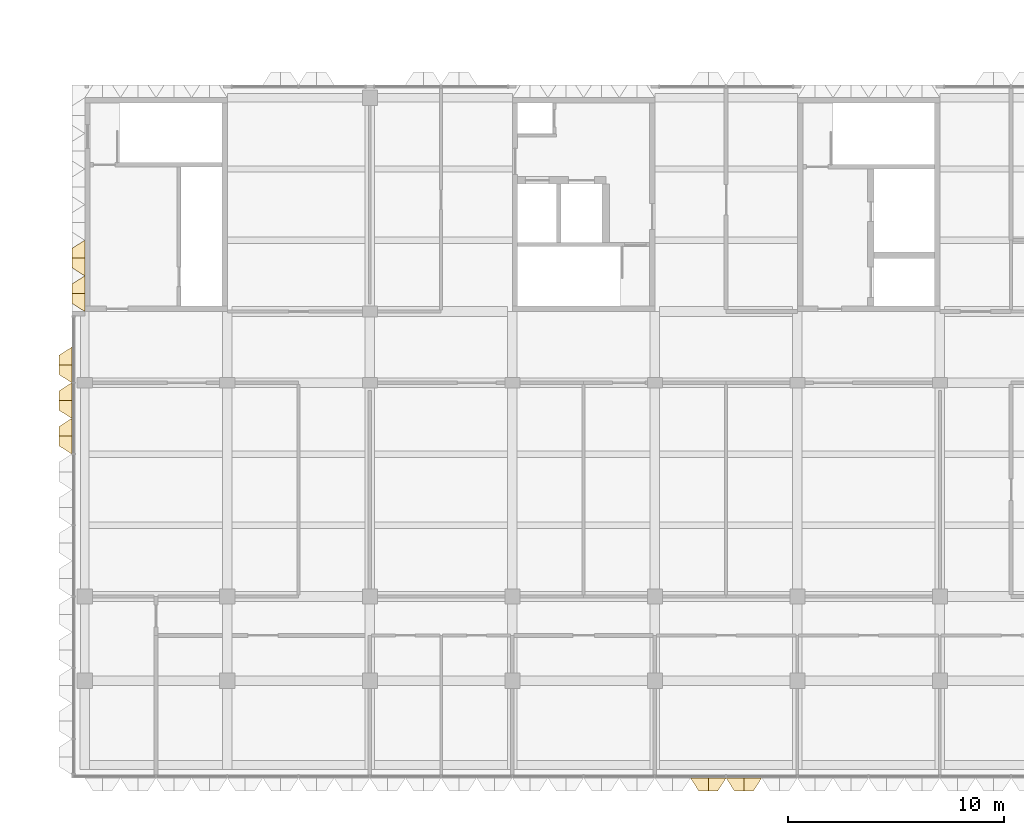
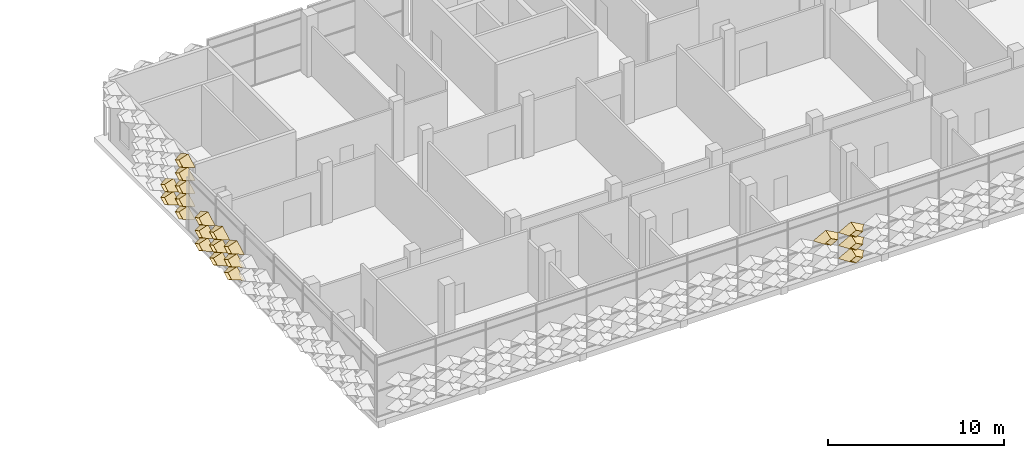
# One storey, part 35 of 61: 20 coverings.
"""IFC4 building model written with IfcOpenShell, lengths in metres."""

import ifcopenshell
import ifcopenshell.guid

model = None  # the IFC model being written
_history = None  # IfcOwnerHistory: only IFC2X3 demands one
_inside = {}  # id of a spatial element -> (the spatial element, [elements in it])
_under = {}  # id of a project, library or spatial element -> (it, [spatial elements below it])
_declared = {}  # id of a project -> (the project, [libraries it declares])
_typed = {}  # id of a type object -> (the type object, [elements of that type])
_made_of = {}  # id of a material, layer set ... -> (it, [elements and type objects made of it])


def new_model(schema):
    """Start an empty IFC model of exactly this schema.

    Asked for "IFC4X3", IfcOpenShell would pick the latest addendum, in which some entities
    have other attributes; the version numbers below select the first issue.
    IFC2X3 requires an IfcOwnerHistory on every rooted entity: one is made here for all.
    """
    global model, _history
    if schema == "IFC4X3":
        model = ifcopenshell.file(schema_version=(4, 3, 0, 0))
    else:
        model = ifcopenshell.file(schema=schema)
    _inside.clear()
    _under.clear()
    _declared.clear()
    _typed.clear()
    _made_of.clear()
    _history = None
    if model.schema == "IFC2X3":
        org = make("IfcOrganization", Name="unknown")
        user = make(
            "IfcPersonAndOrganization",
            ThePerson=make("IfcPerson", FamilyName="unknown"),
            TheOrganization=org,
        )
        app = make(
            "IfcApplication",
            ApplicationDeveloper=org,
            Version="unknown",
            ApplicationFullName="unknown",
            ApplicationIdentifier="unknown",
        )
        _history = make(
            "IfcOwnerHistory",
            OwningUser=user,
            OwningApplication=app,
            ChangeAction="ADDED",
            CreationDate=0,
        )
    return model


def make(cls, **values):
    """One entity of the class cls with the attributes given. An attribute that is None is left unset."""
    return model.create_entity(
        cls, **{name: value for name, value in values.items() if value is not None}
    )


def entity(cls, *values):
    """Any entity or typed value of the class cls, its attributes in the order of the schema. None: left unset."""
    e = model.create_entity(cls)
    for i, value in enumerate(values):
        if value is not None:
            e[i] = value
    return e


def rooted(cls, **values):
    """An entity with a GlobalId (a new one), such as an element, a storey or a relation."""
    return make(cls, GlobalId=ifcopenshell.guid.new(), OwnerHistory=_history, **values)


def si_unit(unit_type, name, prefix=None):
    """IfcSIUnit, for example si_unit("LENGTHUNIT", "METRE", prefix="MILLI")."""
    return make("IfcSIUnit", UnitType=unit_type, Prefix=prefix, Name=name)


def assignment(units):
    """IfcUnitAssignment: the units of a project."""
    return None if units is None else make("IfcUnitAssignment", Units=units)


def point(xyz):
    """IfcCartesianPoint."""
    return None if xyz is None else make("IfcCartesianPoint", Coordinates=xyz)


def direction(xyz):
    """IfcDirection."""
    return None if xyz is None else make("IfcDirection", DirectionRatios=xyz)


def frame(location, z_axis=None, x_axis=None):
    """IfcAxis2Placement3D, a coordinate frame: its origin and axes. An axis left out is left unset."""
    return make(
        "IfcAxis2Placement3D",
        Location=point(location),
        Axis=direction(z_axis),
        RefDirection=direction(x_axis),
    )


def origin():
    """The frame at (0, 0, 0) with its axes left unset."""
    return frame((0.0, 0.0, 0.0))


def place(relative_to, where):
    """IfcLocalPlacement: puts the frame where relative to a parent placement (None: the world)."""
    return make(
        "IfcLocalPlacement", PlacementRelTo=relative_to, RelativePlacement=where
    )


def context(
    kind, dimensions, precision=None, world=None, true_north=None, identifier=None
):
    """IfcGeometricRepresentationContext, for example the 3D "Model" context."""
    return make(
        "IfcGeometricRepresentationContext",
        ContextIdentifier=identifier,
        ContextType=kind,
        CoordinateSpaceDimension=dimensions,
        Precision=precision,
        WorldCoordinateSystem=world,
        TrueNorth=true_north,
    )


def subcontext(parent, identifier, kind, view, scale=None):
    """IfcGeometricRepresentationSubContext, for example "Body" below "Model"."""
    return make(
        "IfcGeometricRepresentationSubContext",
        ContextIdentifier=identifier,
        ContextType=kind,
        ParentContext=parent,
        TargetScale=scale,
        TargetView=view,
    )


def project(units=None, contexts=None):
    """IfcProject with its units and contexts."""
    return rooted(
        "IfcProject",
        Name="project",
        RepresentationContexts=contexts,
        UnitsInContext=assignment(units),
    )


def spatial(cls, under=None, at=None, **own):
    """A site, building, storey or space (cls), placed at a placement, below another one or the project."""
    s = rooted(cls, ObjectPlacement=at, **own)
    if under is not None:
        _under.setdefault(under.id(), (under, []))[1].append(s)
    return s


def shape(context_of_items, identifier, shape_type, items):
    """IfcShapeRepresentation: the items that make up one representation, for example the "Body"."""
    return make(
        "IfcShapeRepresentation",
        ContextOfItems=context_of_items,
        RepresentationIdentifier=identifier,
        RepresentationType=shape_type,
        Items=items,
    )


def material(Name=None, Category=None):
    """IfcMaterial."""
    return make("IfcMaterial", Name=Name, Category=Category)


def layer(
    of_material, thickness, ventilated=None, Name=None, Category=None, Priority=None
):
    """IfcMaterialLayer: one layer of a wall or slab, of a material (None: an air gap)."""
    return make(
        "IfcMaterialLayer",
        Material=of_material,
        LayerThickness=thickness,
        IsVentilated=ventilated,
        Name=Name,
        Category=Category,
        Priority=Priority,
    )


def layer_set(layers, Name=None):
    """IfcMaterialLayerSet."""
    return make("IfcMaterialLayerSet", MaterialLayers=layers, LayerSetName=Name)


def made_of(thing, what):
    """Note that an element or type object is made of a material, layer set ...; save() writes the relation."""
    if what is not None:
        _made_of.setdefault(what.id(), (what, []))[1].append(thing)
    return thing


def type_object(cls, material=None, **own):
    """A type object (cls), such as IfcWallType, which elements share."""
    return made_of(rooted(cls, **own), material)


def element(
    cls,
    number,
    at=None,
    inside=None,
    cuts=None,
    type_object=None,
    material=None,
    context=None,
    identifier="Body",
    shape_type=None,
    held_by="IfcProductDefinitionShape",
    body=None,
    shapes=None,
    **own,
):
    """One element of the class cls, such as IfcWall. Its Tag is "e" and its number.

    at: its placement. inside: the storey or other place that contains it. cuts: it is an
    opening in that element (IfcRelVoidsElement). A single representation is given by context,
    identifier, shape_type and body (its items); several are given by shapes. held_by: the class
    of the entity that holds the representations. save() writes the other relations.
    """
    e = rooted(cls, Tag="e%d" % number, ObjectPlacement=at, **own)
    if body is not None:
        shapes = [shape(context, identifier, shape_type, body)]
    if shapes is not None:
        e.Representation = make(held_by, Representations=shapes)
    if inside is not None:
        _inside.setdefault(inside.id(), (inside, []))[1].append(e)
    if cuts is not None:
        rooted(
            "IfcRelVoidsElement", RelatingBuildingElement=cuts, RelatedOpeningElement=e
        )
    if type_object is not None:
        _typed.setdefault(type_object.id(), (type_object, []))[1].append(e)
    return made_of(e, material)


def aggregate(whole, parts):
    """IfcRelAggregates: a whole, such as a stair, and the parts it consists of."""
    return rooted("IfcRelAggregates", RelatingObject=whole, RelatedObjects=parts)


def save(model, path):
    """Write the relations noted so far, then the file.

    IfcRelAggregates (storeys below a building ...), IfcRelContainedInSpatialStructure (elements
    in a storey), IfcRelDefinesByType, IfcRelAssociatesMaterial and IfcRelDeclares: one each for
    every whole, place, type object, material and project.
    """
    for whole, parts in _under.values():
        aggregate(whole, parts)
    for where, things in _inside.values():
        rooted(
            "IfcRelContainedInSpatialStructure",
            RelatedElements=things,
            RelatingStructure=where,
        )
    for kind, things in _typed.values():
        rooted("IfcRelDefinesByType", RelatedObjects=things, RelatingType=kind)
    for what, things in _made_of.values():
        rooted("IfcRelAssociatesMaterial", RelatedObjects=things, RelatingMaterial=what)
    for by, libraries in _declared.values():
        rooted("IfcRelDeclares", RelatingContext=by, RelatedDefinitions=libraries)
    model.write(path)


model = new_model("IFC4")

# Units and contexts
model_context = context("Model", 3, precision=1e-05, world=origin(), true_north=direction((0.0, 1.0)))
body_context = subcontext(model_context, "Body", "Model", "MODEL_VIEW")
ifc_project = project(units=[si_unit("LENGTHUNIT", "METRE"), si_unit("AREAUNIT", "SQUARE_METRE"), si_unit("VOLUMEUNIT", "CUBIC_METRE"), si_unit("PLANEANGLEUNIT", "RADIAN"), si_unit("MASSUNIT", "GRAM", prefix="KILO")], contexts=[model_context])

# Site, building, storey
site_placement = place(None, origin())
site = spatial("IfcSite", under=ifc_project, at=site_placement, CompositionType="ELEMENT")
building_placement = place(site_placement, origin())
building = spatial("IfcBuilding", under=site, at=building_placement, Name="Lantern Court Research Institute", CompositionType="ELEMENT")
storey_placement = place(building_placement, frame((0.0, 0.0, 23.39990234375)))
storey = spatial("IfcBuildingStorey", under=building, at=storey_placement, Name="L05", CompositionType="ELEMENT", Elevation=23.39990234375)

# Coverings
ifc_material = material(Name="Anodised aluminium", Category="aluminium")
ifc_layer = layer(ifc_material, 0.01611328125)
ifc_layer_set = layer_set([ifc_layer], Name="Anodised aluminium")
covering_type = type_object("IfcCoveringType", Name="Fin cassette 1650 x 900 x 600 aluminium", PredefinedType="CLADDING", material=ifc_layer_set)
covering_1_placement = place(storey_placement, frame((30.52490234375, -8.39990234375, 0.4501953125), z_axis=(0.0, -1.0, 0.0), x_axis=(1.0, 0.0, 0.0)))
cartesian_point_1 = entity("IfcCartesianPoint", [0.824951171875, 0.0])
cartesian_point_2 = entity("IfcCartesianPoint", [0.79150390625, 0.0])
cartesian_point_3 = entity("IfcCartesianPoint", [0.44189453125, 0.0])
cartesian_point_4 = entity("IfcCartesianPoint", [0.43359375, 0.0])
element("IfcCovering", 1, at=covering_1_placement, inside=storey, type_object=covering_type, Name="Fin cassette V4S-L05 1.19", PredefinedType="CLADDING", context=body_context, shape_type="SweptSolid", body=[
    entity("IfcExtrudedAreaSolidTapered", entity("IfcArbitraryProfileDefWithVoids", "AREA", None, entity("IfcPolyline", [cartesian_point_1, entity("IfcCartesianPoint", [0.0, 0.449951171875]), entity("IfcCartesianPoint", [-0.824951171875, 0.0]), entity("IfcCartesianPoint", [0.0, -0.449951171875]), cartesian_point_1]), [entity("IfcPolyline", [cartesian_point_2, entity("IfcCartesianPoint", [0.0, 0.431884765625]), entity("IfcCartesianPoint", [-0.79150390625, 0.0]), entity("IfcCartesianPoint", [0.0, -0.431884765625]), cartesian_point_2])]), entity("IfcAxis2Placement3D", entity("IfcCartesianPoint", [0.0, 0.0, 0.0])), entity("IfcDirection", [0.0, 0.0, 1.0]), 0.60009765625, entity("IfcArbitraryProfileDefWithVoids", "AREA", None, entity("IfcPolyline", [cartesian_point_3, entity("IfcCartesianPoint", [0.0, 0.240966796875]), entity("IfcCartesianPoint", [-0.44189453125, 0.0]), entity("IfcCartesianPoint", [0.0, -0.240966796875]), cartesian_point_3]), [entity("IfcPolyline", [cartesian_point_4, entity("IfcCartesianPoint", [0.0, 0.236572265625]), entity("IfcCartesianPoint", [-0.43359375, 0.0]), entity("IfcCartesianPoint", [0.0, -0.236572265625]), cartesian_point_4])])),
])
covering_2_placement = place(storey_placement, frame((30.52490234375, -8.39990234375, 1.35009765625), z_axis=(0.0, -1.0, 0.0), x_axis=(1.0, 0.0, 0.0)))
cartesian_point_5 = entity("IfcCartesianPoint", [0.824951171875, 0.0])
cartesian_point_6 = entity("IfcCartesianPoint", [0.79150390625, 0.0])
cartesian_point_7 = entity("IfcCartesianPoint", [0.44189453125, 0.0])
cartesian_point_8 = entity("IfcCartesianPoint", [0.43359375, 0.0])
element("IfcCovering", 2, at=covering_2_placement, inside=storey, type_object=covering_type, Name="Fin cassette V4S-L05 2.19", PredefinedType="CLADDING", context=body_context, shape_type="SweptSolid", body=[
    entity("IfcExtrudedAreaSolidTapered", entity("IfcArbitraryProfileDefWithVoids", "AREA", None, entity("IfcPolyline", [cartesian_point_5, entity("IfcCartesianPoint", [0.0, 0.449951171875]), entity("IfcCartesianPoint", [-0.824951171875, 0.0]), entity("IfcCartesianPoint", [0.0, -0.449951171875]), cartesian_point_5]), [entity("IfcPolyline", [cartesian_point_6, entity("IfcCartesianPoint", [0.0, 0.431884765625]), entity("IfcCartesianPoint", [-0.79150390625, 0.0]), entity("IfcCartesianPoint", [0.0, -0.431884765625]), cartesian_point_6])]), entity("IfcAxis2Placement3D", entity("IfcCartesianPoint", [0.0, 0.0, 0.0])), entity("IfcDirection", [0.0, 0.0, 1.0]), 0.60009765625, entity("IfcArbitraryProfileDefWithVoids", "AREA", None, entity("IfcPolyline", [cartesian_point_7, entity("IfcCartesianPoint", [0.0, 0.240966796875]), entity("IfcCartesianPoint", [-0.44189453125, 0.0]), entity("IfcCartesianPoint", [0.0, -0.240966796875]), cartesian_point_7]), [entity("IfcPolyline", [cartesian_point_8, entity("IfcCartesianPoint", [0.0, 0.236572265625]), entity("IfcCartesianPoint", [-0.43359375, 0.0]), entity("IfcCartesianPoint", [0.0, -0.236572265625]), cartesian_point_8])])),
])
covering_3_placement = place(storey_placement, frame((28.875, -8.39990234375, 2.25), z_axis=(0.0, -1.0, 0.0), x_axis=(1.0, 0.0, 0.0)))
cartesian_point_9 = entity("IfcCartesianPoint", [0.824951171875, 0.0])
cartesian_point_10 = entity("IfcCartesianPoint", [0.79150390625, 0.0])
cartesian_point_11 = entity("IfcCartesianPoint", [0.44189453125, 0.0])
cartesian_point_12 = entity("IfcCartesianPoint", [0.43359375, 0.0])
element("IfcCovering", 3, at=covering_3_placement, inside=storey, type_object=covering_type, Name="Fin cassette V4S-L05 3.18", PredefinedType="CLADDING", context=body_context, shape_type="SweptSolid", body=[
    entity("IfcExtrudedAreaSolidTapered", entity("IfcArbitraryProfileDefWithVoids", "AREA", None, entity("IfcPolyline", [cartesian_point_9, entity("IfcCartesianPoint", [0.0, 0.449951171875]), entity("IfcCartesianPoint", [-0.824951171875, 0.0]), entity("IfcCartesianPoint", [0.0, -0.449951171875]), cartesian_point_9]), [entity("IfcPolyline", [cartesian_point_10, entity("IfcCartesianPoint", [0.0, 0.431884765625]), entity("IfcCartesianPoint", [-0.79150390625, 0.0]), entity("IfcCartesianPoint", [0.0, -0.431884765625]), cartesian_point_10])]), entity("IfcAxis2Placement3D", entity("IfcCartesianPoint", [0.0, 0.0, 0.0])), entity("IfcDirection", [0.0, 0.0, 1.0]), 0.60009765625, entity("IfcArbitraryProfileDefWithVoids", "AREA", None, entity("IfcPolyline", [cartesian_point_11, entity("IfcCartesianPoint", [0.0, 0.240966796875]), entity("IfcCartesianPoint", [-0.44189453125, 0.0]), entity("IfcCartesianPoint", [0.0, -0.240966796875]), cartesian_point_11]), [entity("IfcPolyline", [cartesian_point_12, entity("IfcCartesianPoint", [0.0, 0.236572265625]), entity("IfcCartesianPoint", [-0.43359375, 0.0]), entity("IfcCartesianPoint", [0.0, -0.236572265625]), cartesian_point_12])])),
])
covering_4_placement = place(storey_placement, frame((30.52490234375, -8.39990234375, 2.25), z_axis=(0.0, -1.0, 0.0), x_axis=(1.0, 0.0, 0.0)))
cartesian_point_13 = entity("IfcCartesianPoint", [0.824951171875, 0.0])
cartesian_point_14 = entity("IfcCartesianPoint", [0.79150390625, 0.0])
cartesian_point_15 = entity("IfcCartesianPoint", [0.44189453125, 0.0])
cartesian_point_16 = entity("IfcCartesianPoint", [0.43359375, 0.0])
element("IfcCovering", 4, at=covering_4_placement, inside=storey, type_object=covering_type, Name="Fin cassette V4S-L05 3.19", PredefinedType="CLADDING", context=body_context, shape_type="SweptSolid", body=[
    entity("IfcExtrudedAreaSolidTapered", entity("IfcArbitraryProfileDefWithVoids", "AREA", None, entity("IfcPolyline", [cartesian_point_13, entity("IfcCartesianPoint", [0.0, 0.449951171875]), entity("IfcCartesianPoint", [-0.824951171875, 0.0]), entity("IfcCartesianPoint", [0.0, -0.449951171875]), cartesian_point_13]), [entity("IfcPolyline", [cartesian_point_14, entity("IfcCartesianPoint", [0.0, 0.431884765625]), entity("IfcCartesianPoint", [-0.79150390625, 0.0]), entity("IfcCartesianPoint", [0.0, -0.431884765625]), cartesian_point_14])]), entity("IfcAxis2Placement3D", entity("IfcCartesianPoint", [0.0, 0.0, 0.0])), entity("IfcDirection", [0.0, 0.0, 1.0]), 0.60009765625, entity("IfcArbitraryProfileDefWithVoids", "AREA", None, entity("IfcPolyline", [cartesian_point_15, entity("IfcCartesianPoint", [0.0, 0.240966796875]), entity("IfcCartesianPoint", [-0.44189453125, 0.0]), entity("IfcCartesianPoint", [0.0, -0.240966796875]), cartesian_point_15]), [entity("IfcPolyline", [cartesian_point_16, entity("IfcCartesianPoint", [0.0, 0.236572265625]), entity("IfcCartesianPoint", [-0.43359375, 0.0]), entity("IfcCartesianPoint", [0.0, -0.236572265625]), cartesian_point_16])])),
])
covering_5_placement = place(storey_placement, frame((0.0, 14.02490234375, 0.4501953125), z_axis=(-1.0, 0.0, 0.0), x_axis=(0.0, -1.0, 0.0)))
cartesian_point_17 = entity("IfcCartesianPoint", [0.824951171875, 0.0])
cartesian_point_18 = entity("IfcCartesianPoint", [0.79150390625, 0.0])
cartesian_point_19 = entity("IfcCartesianPoint", [0.44189453125, 0.0])
cartesian_point_20 = entity("IfcCartesianPoint", [0.43359375, 0.0])
element("IfcCovering", 5, at=covering_5_placement, inside=storey, type_object=covering_type, Name="Fin cassette V4W-L05 1.9", PredefinedType="CLADDING", context=body_context, shape_type="SweptSolid", body=[
    entity("IfcExtrudedAreaSolidTapered", entity("IfcArbitraryProfileDefWithVoids", "AREA", None, entity("IfcPolyline", [cartesian_point_17, entity("IfcCartesianPoint", [0.0, 0.449951171875]), entity("IfcCartesianPoint", [-0.824951171875, 0.0]), entity("IfcCartesianPoint", [0.0, -0.449951171875]), cartesian_point_17]), [entity("IfcPolyline", [cartesian_point_18, entity("IfcCartesianPoint", [0.0, 0.431884765625]), entity("IfcCartesianPoint", [-0.79150390625, 0.0]), entity("IfcCartesianPoint", [0.0, -0.431884765625]), cartesian_point_18])]), entity("IfcAxis2Placement3D", entity("IfcCartesianPoint", [0.0, 0.0, 0.0])), entity("IfcDirection", [0.0, 0.0, 1.0]), 0.60009765625, entity("IfcArbitraryProfileDefWithVoids", "AREA", None, entity("IfcPolyline", [cartesian_point_19, entity("IfcCartesianPoint", [0.0, 0.240966796875]), entity("IfcCartesianPoint", [-0.44189453125, 0.0]), entity("IfcCartesianPoint", [0.0, -0.240966796875]), cartesian_point_19]), [entity("IfcPolyline", [cartesian_point_20, entity("IfcCartesianPoint", [0.0, 0.236572265625]), entity("IfcCartesianPoint", [-0.43359375, 0.0]), entity("IfcCartesianPoint", [0.0, -0.236572265625]), cartesian_point_20])])),
])
covering_6_placement = place(storey_placement, frame((0.0, 15.675048828125, 0.4501953125), z_axis=(-1.0, 0.0, 0.0), x_axis=(0.0, -1.0, 0.0)))
cartesian_point_21 = entity("IfcCartesianPoint", [0.824951171875, 0.0])
cartesian_point_22 = entity("IfcCartesianPoint", [0.79150390625, 0.0])
cartesian_point_23 = entity("IfcCartesianPoint", [0.44189453125, 0.0])
cartesian_point_24 = entity("IfcCartesianPoint", [0.43359375, 0.0])
element("IfcCovering", 6, at=covering_6_placement, inside=storey, type_object=covering_type, Name="Fin cassette V4W-L05 1.10", PredefinedType="CLADDING", context=body_context, shape_type="SweptSolid", body=[
    entity("IfcExtrudedAreaSolidTapered", entity("IfcArbitraryProfileDefWithVoids", "AREA", None, entity("IfcPolyline", [cartesian_point_21, entity("IfcCartesianPoint", [0.0, 0.449951171875]), entity("IfcCartesianPoint", [-0.824951171875, 0.0]), entity("IfcCartesianPoint", [0.0, -0.449951171875]), cartesian_point_21]), [entity("IfcPolyline", [cartesian_point_22, entity("IfcCartesianPoint", [0.0, 0.431884765625]), entity("IfcCartesianPoint", [-0.79150390625, 0.0]), entity("IfcCartesianPoint", [0.0, -0.431884765625]), cartesian_point_22])]), entity("IfcAxis2Placement3D", entity("IfcCartesianPoint", [0.0, 0.0, 0.0])), entity("IfcDirection", [0.0, 0.0, 1.0]), 0.60009765625, entity("IfcArbitraryProfileDefWithVoids", "AREA", None, entity("IfcPolyline", [cartesian_point_23, entity("IfcCartesianPoint", [0.0, 0.240966796875]), entity("IfcCartesianPoint", [-0.44189453125, 0.0]), entity("IfcCartesianPoint", [0.0, -0.240966796875]), cartesian_point_23]), [entity("IfcPolyline", [cartesian_point_24, entity("IfcCartesianPoint", [0.0, 0.236572265625]), entity("IfcCartesianPoint", [-0.43359375, 0.0]), entity("IfcCartesianPoint", [0.0, -0.236572265625]), cartesian_point_24])])),
])
covering_7_placement = place(storey_placement, frame((0.0, 14.02490234375, 1.35009765625), z_axis=(-1.0, 0.0, 0.0), x_axis=(0.0, -1.0, 0.0)))
cartesian_point_25 = entity("IfcCartesianPoint", [0.824951171875, 0.0])
cartesian_point_26 = entity("IfcCartesianPoint", [0.79150390625, 0.0])
cartesian_point_27 = entity("IfcCartesianPoint", [0.44189453125, 0.0])
cartesian_point_28 = entity("IfcCartesianPoint", [0.43359375, 0.0])
element("IfcCovering", 7, at=covering_7_placement, inside=storey, type_object=covering_type, Name="Fin cassette V4W-L05 2.9", PredefinedType="CLADDING", context=body_context, shape_type="SweptSolid", body=[
    entity("IfcExtrudedAreaSolidTapered", entity("IfcArbitraryProfileDefWithVoids", "AREA", None, entity("IfcPolyline", [cartesian_point_25, entity("IfcCartesianPoint", [0.0, 0.449951171875]), entity("IfcCartesianPoint", [-0.824951171875, 0.0]), entity("IfcCartesianPoint", [0.0, -0.449951171875]), cartesian_point_25]), [entity("IfcPolyline", [cartesian_point_26, entity("IfcCartesianPoint", [0.0, 0.431884765625]), entity("IfcCartesianPoint", [-0.79150390625, 0.0]), entity("IfcCartesianPoint", [0.0, -0.431884765625]), cartesian_point_26])]), entity("IfcAxis2Placement3D", entity("IfcCartesianPoint", [0.0, 0.0, 0.0])), entity("IfcDirection", [0.0, 0.0, 1.0]), 0.60009765625, entity("IfcArbitraryProfileDefWithVoids", "AREA", None, entity("IfcPolyline", [cartesian_point_27, entity("IfcCartesianPoint", [0.0, 0.240966796875]), entity("IfcCartesianPoint", [-0.44189453125, 0.0]), entity("IfcCartesianPoint", [0.0, -0.240966796875]), cartesian_point_27]), [entity("IfcPolyline", [cartesian_point_28, entity("IfcCartesianPoint", [0.0, 0.236572265625]), entity("IfcCartesianPoint", [-0.43359375, 0.0]), entity("IfcCartesianPoint", [0.0, -0.236572265625]), cartesian_point_28])])),
])
covering_8_placement = place(storey_placement, frame((0.0, 15.675048828125, 1.35009765625), z_axis=(-1.0, 0.0, 0.0), x_axis=(0.0, -1.0, 0.0)))
cartesian_point_29 = entity("IfcCartesianPoint", [0.824951171875, 0.0])
cartesian_point_30 = entity("IfcCartesianPoint", [0.79150390625, 0.0])
cartesian_point_31 = entity("IfcCartesianPoint", [0.44189453125, 0.0])
cartesian_point_32 = entity("IfcCartesianPoint", [0.43359375, 0.0])
element("IfcCovering", 8, at=covering_8_placement, inside=storey, type_object=covering_type, Name="Fin cassette V4W-L05 2.10", PredefinedType="CLADDING", context=body_context, shape_type="SweptSolid", body=[
    entity("IfcExtrudedAreaSolidTapered", entity("IfcArbitraryProfileDefWithVoids", "AREA", None, entity("IfcPolyline", [cartesian_point_29, entity("IfcCartesianPoint", [0.0, 0.449951171875]), entity("IfcCartesianPoint", [-0.824951171875, 0.0]), entity("IfcCartesianPoint", [0.0, -0.449951171875]), cartesian_point_29]), [entity("IfcPolyline", [cartesian_point_30, entity("IfcCartesianPoint", [0.0, 0.431884765625]), entity("IfcCartesianPoint", [-0.79150390625, 0.0]), entity("IfcCartesianPoint", [0.0, -0.431884765625]), cartesian_point_30])]), entity("IfcAxis2Placement3D", entity("IfcCartesianPoint", [0.0, 0.0, 0.0])), entity("IfcDirection", [0.0, 0.0, 1.0]), 0.60009765625, entity("IfcArbitraryProfileDefWithVoids", "AREA", None, entity("IfcPolyline", [cartesian_point_31, entity("IfcCartesianPoint", [0.0, 0.240966796875]), entity("IfcCartesianPoint", [-0.44189453125, 0.0]), entity("IfcCartesianPoint", [0.0, -0.240966796875]), cartesian_point_31]), [entity("IfcPolyline", [cartesian_point_32, entity("IfcCartesianPoint", [0.0, 0.236572265625]), entity("IfcCartesianPoint", [-0.43359375, 0.0]), entity("IfcCartesianPoint", [0.0, -0.236572265625]), cartesian_point_32])])),
])
covering_9_placement = place(storey_placement, frame((0.0, 14.02490234375, 2.25), z_axis=(-1.0, 0.0, 0.0), x_axis=(0.0, -1.0, 0.0)))
cartesian_point_33 = entity("IfcCartesianPoint", [0.824951171875, 0.0])
cartesian_point_34 = entity("IfcCartesianPoint", [0.79150390625, 0.0])
cartesian_point_35 = entity("IfcCartesianPoint", [0.44189453125, 0.0])
cartesian_point_36 = entity("IfcCartesianPoint", [0.43359375, 0.0])
element("IfcCovering", 9, at=covering_9_placement, inside=storey, type_object=covering_type, Name="Fin cassette V4W-L05 3.9", PredefinedType="CLADDING", context=body_context, shape_type="SweptSolid", body=[
    entity("IfcExtrudedAreaSolidTapered", entity("IfcArbitraryProfileDefWithVoids", "AREA", None, entity("IfcPolyline", [cartesian_point_33, entity("IfcCartesianPoint", [0.0, 0.449951171875]), entity("IfcCartesianPoint", [-0.824951171875, 0.0]), entity("IfcCartesianPoint", [0.0, -0.449951171875]), cartesian_point_33]), [entity("IfcPolyline", [cartesian_point_34, entity("IfcCartesianPoint", [0.0, 0.431884765625]), entity("IfcCartesianPoint", [-0.79150390625, 0.0]), entity("IfcCartesianPoint", [0.0, -0.431884765625]), cartesian_point_34])]), entity("IfcAxis2Placement3D", entity("IfcCartesianPoint", [0.0, 0.0, 0.0])), entity("IfcDirection", [0.0, 0.0, 1.0]), 0.60009765625, entity("IfcArbitraryProfileDefWithVoids", "AREA", None, entity("IfcPolyline", [cartesian_point_35, entity("IfcCartesianPoint", [0.0, 0.240966796875]), entity("IfcCartesianPoint", [-0.44189453125, 0.0]), entity("IfcCartesianPoint", [0.0, -0.240966796875]), cartesian_point_35]), [entity("IfcPolyline", [cartesian_point_36, entity("IfcCartesianPoint", [0.0, 0.236572265625]), entity("IfcCartesianPoint", [-0.43359375, 0.0]), entity("IfcCartesianPoint", [0.0, -0.236572265625]), cartesian_point_36])])),
])
covering_10_placement = place(storey_placement, frame((0.0, 14.02490234375, 3.150146484375), z_axis=(-1.0, 0.0, 0.0), x_axis=(0.0, -1.0, 0.0)))
cartesian_point_37 = entity("IfcCartesianPoint", [0.824951171875, 0.0])
cartesian_point_38 = entity("IfcCartesianPoint", [0.79150390625, 0.0])
cartesian_point_39 = entity("IfcCartesianPoint", [0.44189453125, 0.0])
cartesian_point_40 = entity("IfcCartesianPoint", [0.43359375, 0.0])
element("IfcCovering", 10, at=covering_10_placement, inside=storey, type_object=covering_type, Name="Fin cassette V4W-L05 4.9", PredefinedType="CLADDING", context=body_context, shape_type="SweptSolid", body=[
    entity("IfcExtrudedAreaSolidTapered", entity("IfcArbitraryProfileDefWithVoids", "AREA", None, entity("IfcPolyline", [cartesian_point_37, entity("IfcCartesianPoint", [0.0, 0.449951171875]), entity("IfcCartesianPoint", [-0.824951171875, 0.0]), entity("IfcCartesianPoint", [0.0, -0.449951171875]), cartesian_point_37]), [entity("IfcPolyline", [cartesian_point_38, entity("IfcCartesianPoint", [0.0, 0.431884765625]), entity("IfcCartesianPoint", [-0.79150390625, 0.0]), entity("IfcCartesianPoint", [0.0, -0.431884765625]), cartesian_point_38])]), entity("IfcAxis2Placement3D", entity("IfcCartesianPoint", [0.0, 0.0, 0.0])), entity("IfcDirection", [0.0, 0.0, 1.0]), 0.60009765625, entity("IfcArbitraryProfileDefWithVoids", "AREA", None, entity("IfcPolyline", [cartesian_point_39, entity("IfcCartesianPoint", [0.0, 0.240966796875]), entity("IfcCartesianPoint", [-0.44189453125, 0.0]), entity("IfcCartesianPoint", [0.0, -0.240966796875]), cartesian_point_39]), [entity("IfcPolyline", [cartesian_point_40, entity("IfcCartesianPoint", [0.0, 0.236572265625]), entity("IfcCartesianPoint", [-0.43359375, 0.0]), entity("IfcCartesianPoint", [0.0, -0.236572265625]), cartesian_point_40])])),
])
covering_11_placement = place(storey_placement, frame((0.0, 14.02490234375, 4.050048828125), z_axis=(-1.0, 0.0, 0.0), x_axis=(0.0, -1.0, 0.0)))
cartesian_point_41 = entity("IfcCartesianPoint", [0.824951171875, 0.0])
cartesian_point_42 = entity("IfcCartesianPoint", [0.79150390625, 0.0])
cartesian_point_43 = entity("IfcCartesianPoint", [0.44189453125, 0.0])
cartesian_point_44 = entity("IfcCartesianPoint", [0.43359375, 0.0])
element("IfcCovering", 11, at=covering_11_placement, inside=storey, type_object=covering_type, Name="Fin cassette V4W-L05 5.9", PredefinedType="CLADDING", context=body_context, shape_type="SweptSolid", body=[
    entity("IfcExtrudedAreaSolidTapered", entity("IfcArbitraryProfileDefWithVoids", "AREA", None, entity("IfcPolyline", [cartesian_point_41, entity("IfcCartesianPoint", [0.0, 0.449951171875]), entity("IfcCartesianPoint", [-0.824951171875, 0.0]), entity("IfcCartesianPoint", [0.0, -0.449951171875]), cartesian_point_41]), [entity("IfcPolyline", [cartesian_point_42, entity("IfcCartesianPoint", [0.0, 0.431884765625]), entity("IfcCartesianPoint", [-0.79150390625, 0.0]), entity("IfcCartesianPoint", [0.0, -0.431884765625]), cartesian_point_42])]), entity("IfcAxis2Placement3D", entity("IfcCartesianPoint", [0.0, 0.0, 0.0])), entity("IfcDirection", [0.0, 0.0, 1.0]), 0.60009765625, entity("IfcArbitraryProfileDefWithVoids", "AREA", None, entity("IfcPolyline", [cartesian_point_43, entity("IfcCartesianPoint", [0.0, 0.240966796875]), entity("IfcCartesianPoint", [-0.44189453125, 0.0]), entity("IfcCartesianPoint", [0.0, -0.240966796875]), cartesian_point_43]), [entity("IfcPolyline", [cartesian_point_44, entity("IfcCartesianPoint", [0.0, 0.236572265625]), entity("IfcCartesianPoint", [-0.43359375, 0.0]), entity("IfcCartesianPoint", [0.0, -0.236572265625]), cartesian_point_44])])),
])
covering_12_placement = place(storey_placement, frame((-0.60009765625, 7.425048828125, 0.4501953125), z_axis=(-1.0, 0.0, 0.0), x_axis=(0.0, -1.0, 0.0)))
cartesian_point_45 = entity("IfcCartesianPoint", [0.824951171875, 0.0])
cartesian_point_46 = entity("IfcCartesianPoint", [0.79150390625, 0.0])
cartesian_point_47 = entity("IfcCartesianPoint", [0.44189453125, 0.0])
cartesian_point_48 = entity("IfcCartesianPoint", [0.43359375, 0.0])
element("IfcCovering", 12, at=covering_12_placement, inside=storey, type_object=covering_type, Name="Fin cassette V4W-L05 1.5", PredefinedType="CLADDING", context=body_context, shape_type="SweptSolid", body=[
    entity("IfcExtrudedAreaSolidTapered", entity("IfcArbitraryProfileDefWithVoids", "AREA", None, entity("IfcPolyline", [cartesian_point_45, entity("IfcCartesianPoint", [0.0, 0.449951171875]), entity("IfcCartesianPoint", [-0.824951171875, 0.0]), entity("IfcCartesianPoint", [0.0, -0.449951171875]), cartesian_point_45]), [entity("IfcPolyline", [cartesian_point_46, entity("IfcCartesianPoint", [0.0, 0.431884765625]), entity("IfcCartesianPoint", [-0.79150390625, 0.0]), entity("IfcCartesianPoint", [0.0, -0.431884765625]), cartesian_point_46])]), entity("IfcAxis2Placement3D", entity("IfcCartesianPoint", [0.0, 0.0, 0.0])), entity("IfcDirection", [0.0, 0.0, 1.0]), 0.60009765625, entity("IfcArbitraryProfileDefWithVoids", "AREA", None, entity("IfcPolyline", [cartesian_point_47, entity("IfcCartesianPoint", [0.0, 0.240966796875]), entity("IfcCartesianPoint", [-0.44189453125, 0.0]), entity("IfcCartesianPoint", [0.0, -0.240966796875]), cartesian_point_47]), [entity("IfcPolyline", [cartesian_point_48, entity("IfcCartesianPoint", [0.0, 0.236572265625]), entity("IfcCartesianPoint", [-0.43359375, 0.0]), entity("IfcCartesianPoint", [0.0, -0.236572265625]), cartesian_point_48])])),
])
covering_13_placement = place(storey_placement, frame((-0.60009765625, 9.074951171875, 0.4501953125), z_axis=(-1.0, 0.0, 0.0), x_axis=(0.0, -1.0, 0.0)))
cartesian_point_49 = entity("IfcCartesianPoint", [0.824951171875, 0.0])
cartesian_point_50 = entity("IfcCartesianPoint", [0.79150390625, 0.0])
cartesian_point_51 = entity("IfcCartesianPoint", [0.44189453125, 0.0])
cartesian_point_52 = entity("IfcCartesianPoint", [0.43359375, 0.0])
element("IfcCovering", 13, at=covering_13_placement, inside=storey, type_object=covering_type, Name="Fin cassette V4W-L05 1.6", PredefinedType="CLADDING", context=body_context, shape_type="SweptSolid", body=[
    entity("IfcExtrudedAreaSolidTapered", entity("IfcArbitraryProfileDefWithVoids", "AREA", None, entity("IfcPolyline", [cartesian_point_49, entity("IfcCartesianPoint", [0.0, 0.449951171875]), entity("IfcCartesianPoint", [-0.824951171875, 0.0]), entity("IfcCartesianPoint", [0.0, -0.449951171875]), cartesian_point_49]), [entity("IfcPolyline", [cartesian_point_50, entity("IfcCartesianPoint", [0.0, 0.431884765625]), entity("IfcCartesianPoint", [-0.79150390625, 0.0]), entity("IfcCartesianPoint", [0.0, -0.431884765625]), cartesian_point_50])]), entity("IfcAxis2Placement3D", entity("IfcCartesianPoint", [0.0, 0.0, 0.0])), entity("IfcDirection", [0.0, 0.0, 1.0]), 0.60009765625, entity("IfcArbitraryProfileDefWithVoids", "AREA", None, entity("IfcPolyline", [cartesian_point_51, entity("IfcCartesianPoint", [0.0, 0.240966796875]), entity("IfcCartesianPoint", [-0.44189453125, 0.0]), entity("IfcCartesianPoint", [0.0, -0.240966796875]), cartesian_point_51]), [entity("IfcPolyline", [cartesian_point_52, entity("IfcCartesianPoint", [0.0, 0.236572265625]), entity("IfcCartesianPoint", [-0.43359375, 0.0]), entity("IfcCartesianPoint", [0.0, -0.236572265625]), cartesian_point_52])])),
])
covering_14_placement = place(storey_placement, frame((-0.60009765625, 10.72509765625, 0.4501953125), z_axis=(-1.0, 0.0, 0.0), x_axis=(0.0, -1.0, 0.0)))
cartesian_point_53 = entity("IfcCartesianPoint", [0.824951171875, 0.0])
cartesian_point_54 = entity("IfcCartesianPoint", [0.79150390625, 0.0])
cartesian_point_55 = entity("IfcCartesianPoint", [0.44189453125, 0.0])
cartesian_point_56 = entity("IfcCartesianPoint", [0.43359375, 0.0])
element("IfcCovering", 14, at=covering_14_placement, inside=storey, type_object=covering_type, Name="Fin cassette V4W-L05 1.7", PredefinedType="CLADDING", context=body_context, shape_type="SweptSolid", body=[
    entity("IfcExtrudedAreaSolidTapered", entity("IfcArbitraryProfileDefWithVoids", "AREA", None, entity("IfcPolyline", [cartesian_point_53, entity("IfcCartesianPoint", [0.0, 0.449951171875]), entity("IfcCartesianPoint", [-0.824951171875, 0.0]), entity("IfcCartesianPoint", [0.0, -0.449951171875]), cartesian_point_53]), [entity("IfcPolyline", [cartesian_point_54, entity("IfcCartesianPoint", [0.0, 0.431884765625]), entity("IfcCartesianPoint", [-0.79150390625, 0.0]), entity("IfcCartesianPoint", [0.0, -0.431884765625]), cartesian_point_54])]), entity("IfcAxis2Placement3D", entity("IfcCartesianPoint", [0.0, 0.0, 0.0])), entity("IfcDirection", [0.0, 0.0, 1.0]), 0.60009765625, entity("IfcArbitraryProfileDefWithVoids", "AREA", None, entity("IfcPolyline", [cartesian_point_55, entity("IfcCartesianPoint", [0.0, 0.240966796875]), entity("IfcCartesianPoint", [-0.44189453125, 0.0]), entity("IfcCartesianPoint", [0.0, -0.240966796875]), cartesian_point_55]), [entity("IfcPolyline", [cartesian_point_56, entity("IfcCartesianPoint", [0.0, 0.236572265625]), entity("IfcCartesianPoint", [-0.43359375, 0.0]), entity("IfcCartesianPoint", [0.0, -0.236572265625]), cartesian_point_56])])),
])
covering_15_placement = place(storey_placement, frame((-0.60009765625, 7.425048828125, 1.35009765625), z_axis=(-1.0, 0.0, 0.0), x_axis=(0.0, -1.0, 0.0)))
cartesian_point_57 = entity("IfcCartesianPoint", [0.824951171875, 0.0])
cartesian_point_58 = entity("IfcCartesianPoint", [0.79150390625, 0.0])
cartesian_point_59 = entity("IfcCartesianPoint", [0.44189453125, 0.0])
cartesian_point_60 = entity("IfcCartesianPoint", [0.43359375, 0.0])
element("IfcCovering", 15, at=covering_15_placement, inside=storey, type_object=covering_type, Name="Fin cassette V4W-L05 2.5", PredefinedType="CLADDING", context=body_context, shape_type="SweptSolid", body=[
    entity("IfcExtrudedAreaSolidTapered", entity("IfcArbitraryProfileDefWithVoids", "AREA", None, entity("IfcPolyline", [cartesian_point_57, entity("IfcCartesianPoint", [0.0, 0.449951171875]), entity("IfcCartesianPoint", [-0.824951171875, 0.0]), entity("IfcCartesianPoint", [0.0, -0.449951171875]), cartesian_point_57]), [entity("IfcPolyline", [cartesian_point_58, entity("IfcCartesianPoint", [0.0, 0.431884765625]), entity("IfcCartesianPoint", [-0.79150390625, 0.0]), entity("IfcCartesianPoint", [0.0, -0.431884765625]), cartesian_point_58])]), entity("IfcAxis2Placement3D", entity("IfcCartesianPoint", [0.0, 0.0, 0.0])), entity("IfcDirection", [0.0, 0.0, 1.0]), 0.60009765625, entity("IfcArbitraryProfileDefWithVoids", "AREA", None, entity("IfcPolyline", [cartesian_point_59, entity("IfcCartesianPoint", [0.0, 0.240966796875]), entity("IfcCartesianPoint", [-0.44189453125, 0.0]), entity("IfcCartesianPoint", [0.0, -0.240966796875]), cartesian_point_59]), [entity("IfcPolyline", [cartesian_point_60, entity("IfcCartesianPoint", [0.0, 0.236572265625]), entity("IfcCartesianPoint", [-0.43359375, 0.0]), entity("IfcCartesianPoint", [0.0, -0.236572265625]), cartesian_point_60])])),
])
covering_16_placement = place(storey_placement, frame((-0.60009765625, 9.074951171875, 1.35009765625), z_axis=(-1.0, 0.0, 0.0), x_axis=(0.0, -1.0, 0.0)))
cartesian_point_61 = entity("IfcCartesianPoint", [0.824951171875, 0.0])
cartesian_point_62 = entity("IfcCartesianPoint", [0.79150390625, 0.0])
cartesian_point_63 = entity("IfcCartesianPoint", [0.44189453125, 0.0])
cartesian_point_64 = entity("IfcCartesianPoint", [0.43359375, 0.0])
element("IfcCovering", 16, at=covering_16_placement, inside=storey, type_object=covering_type, Name="Fin cassette V4W-L05 2.6", PredefinedType="CLADDING", context=body_context, shape_type="SweptSolid", body=[
    entity("IfcExtrudedAreaSolidTapered", entity("IfcArbitraryProfileDefWithVoids", "AREA", None, entity("IfcPolyline", [cartesian_point_61, entity("IfcCartesianPoint", [0.0, 0.449951171875]), entity("IfcCartesianPoint", [-0.824951171875, 0.0]), entity("IfcCartesianPoint", [0.0, -0.449951171875]), cartesian_point_61]), [entity("IfcPolyline", [cartesian_point_62, entity("IfcCartesianPoint", [0.0, 0.431884765625]), entity("IfcCartesianPoint", [-0.79150390625, 0.0]), entity("IfcCartesianPoint", [0.0, -0.431884765625]), cartesian_point_62])]), entity("IfcAxis2Placement3D", entity("IfcCartesianPoint", [0.0, 0.0, 0.0])), entity("IfcDirection", [0.0, 0.0, 1.0]), 0.60009765625, entity("IfcArbitraryProfileDefWithVoids", "AREA", None, entity("IfcPolyline", [cartesian_point_63, entity("IfcCartesianPoint", [0.0, 0.240966796875]), entity("IfcCartesianPoint", [-0.44189453125, 0.0]), entity("IfcCartesianPoint", [0.0, -0.240966796875]), cartesian_point_63]), [entity("IfcPolyline", [cartesian_point_64, entity("IfcCartesianPoint", [0.0, 0.236572265625]), entity("IfcCartesianPoint", [-0.43359375, 0.0]), entity("IfcCartesianPoint", [0.0, -0.236572265625]), cartesian_point_64])])),
])
covering_17_placement = place(storey_placement, frame((-0.60009765625, 10.72509765625, 1.35009765625), z_axis=(-1.0, 0.0, 0.0), x_axis=(0.0, -1.0, 0.0)))
cartesian_point_65 = entity("IfcCartesianPoint", [0.824951171875, 0.0])
cartesian_point_66 = entity("IfcCartesianPoint", [0.79150390625, 0.0])
cartesian_point_67 = entity("IfcCartesianPoint", [0.44189453125, 0.0])
cartesian_point_68 = entity("IfcCartesianPoint", [0.43359375, 0.0])
element("IfcCovering", 17, at=covering_17_placement, inside=storey, type_object=covering_type, Name="Fin cassette V4W-L05 2.7", PredefinedType="CLADDING", context=body_context, shape_type="SweptSolid", body=[
    entity("IfcExtrudedAreaSolidTapered", entity("IfcArbitraryProfileDefWithVoids", "AREA", None, entity("IfcPolyline", [cartesian_point_65, entity("IfcCartesianPoint", [0.0, 0.449951171875]), entity("IfcCartesianPoint", [-0.824951171875, 0.0]), entity("IfcCartesianPoint", [0.0, -0.449951171875]), cartesian_point_65]), [entity("IfcPolyline", [cartesian_point_66, entity("IfcCartesianPoint", [0.0, 0.431884765625]), entity("IfcCartesianPoint", [-0.79150390625, 0.0]), entity("IfcCartesianPoint", [0.0, -0.431884765625]), cartesian_point_66])]), entity("IfcAxis2Placement3D", entity("IfcCartesianPoint", [0.0, 0.0, 0.0])), entity("IfcDirection", [0.0, 0.0, 1.0]), 0.60009765625, entity("IfcArbitraryProfileDefWithVoids", "AREA", None, entity("IfcPolyline", [cartesian_point_67, entity("IfcCartesianPoint", [0.0, 0.240966796875]), entity("IfcCartesianPoint", [-0.44189453125, 0.0]), entity("IfcCartesianPoint", [0.0, -0.240966796875]), cartesian_point_67]), [entity("IfcPolyline", [cartesian_point_68, entity("IfcCartesianPoint", [0.0, 0.236572265625]), entity("IfcCartesianPoint", [-0.43359375, 0.0]), entity("IfcCartesianPoint", [0.0, -0.236572265625]), cartesian_point_68])])),
])
covering_18_placement = place(storey_placement, frame((-0.60009765625, 7.425048828125, 2.25), z_axis=(-1.0, 0.0, 0.0), x_axis=(0.0, -1.0, 0.0)))
cartesian_point_69 = entity("IfcCartesianPoint", [0.824951171875, 0.0])
cartesian_point_70 = entity("IfcCartesianPoint", [0.79150390625, 0.0])
cartesian_point_71 = entity("IfcCartesianPoint", [0.44189453125, 0.0])
cartesian_point_72 = entity("IfcCartesianPoint", [0.43359375, 0.0])
element("IfcCovering", 18, at=covering_18_placement, inside=storey, type_object=covering_type, Name="Fin cassette V4W-L05 3.5", PredefinedType="CLADDING", context=body_context, shape_type="SweptSolid", body=[
    entity("IfcExtrudedAreaSolidTapered", entity("IfcArbitraryProfileDefWithVoids", "AREA", None, entity("IfcPolyline", [cartesian_point_69, entity("IfcCartesianPoint", [0.0, 0.449951171875]), entity("IfcCartesianPoint", [-0.824951171875, 0.0]), entity("IfcCartesianPoint", [0.0, -0.449951171875]), cartesian_point_69]), [entity("IfcPolyline", [cartesian_point_70, entity("IfcCartesianPoint", [0.0, 0.431884765625]), entity("IfcCartesianPoint", [-0.79150390625, 0.0]), entity("IfcCartesianPoint", [0.0, -0.431884765625]), cartesian_point_70])]), entity("IfcAxis2Placement3D", entity("IfcCartesianPoint", [0.0, 0.0, 0.0])), entity("IfcDirection", [0.0, 0.0, 1.0]), 0.60009765625, entity("IfcArbitraryProfileDefWithVoids", "AREA", None, entity("IfcPolyline", [cartesian_point_71, entity("IfcCartesianPoint", [0.0, 0.240966796875]), entity("IfcCartesianPoint", [-0.44189453125, 0.0]), entity("IfcCartesianPoint", [0.0, -0.240966796875]), cartesian_point_71]), [entity("IfcPolyline", [cartesian_point_72, entity("IfcCartesianPoint", [0.0, 0.236572265625]), entity("IfcCartesianPoint", [-0.43359375, 0.0]), entity("IfcCartesianPoint", [0.0, -0.236572265625]), cartesian_point_72])])),
])
covering_19_placement = place(storey_placement, frame((-0.60009765625, 9.074951171875, 2.25), z_axis=(-1.0, 0.0, 0.0), x_axis=(0.0, -1.0, 0.0)))
cartesian_point_73 = entity("IfcCartesianPoint", [0.824951171875, 0.0])
cartesian_point_74 = entity("IfcCartesianPoint", [0.79150390625, 0.0])
cartesian_point_75 = entity("IfcCartesianPoint", [0.44189453125, 0.0])
cartesian_point_76 = entity("IfcCartesianPoint", [0.43359375, 0.0])
element("IfcCovering", 19, at=covering_19_placement, inside=storey, type_object=covering_type, Name="Fin cassette V4W-L05 3.6", PredefinedType="CLADDING", context=body_context, shape_type="SweptSolid", body=[
    entity("IfcExtrudedAreaSolidTapered", entity("IfcArbitraryProfileDefWithVoids", "AREA", None, entity("IfcPolyline", [cartesian_point_73, entity("IfcCartesianPoint", [0.0, 0.449951171875]), entity("IfcCartesianPoint", [-0.824951171875, 0.0]), entity("IfcCartesianPoint", [0.0, -0.449951171875]), cartesian_point_73]), [entity("IfcPolyline", [cartesian_point_74, entity("IfcCartesianPoint", [0.0, 0.431884765625]), entity("IfcCartesianPoint", [-0.79150390625, 0.0]), entity("IfcCartesianPoint", [0.0, -0.431884765625]), cartesian_point_74])]), entity("IfcAxis2Placement3D", entity("IfcCartesianPoint", [0.0, 0.0, 0.0])), entity("IfcDirection", [0.0, 0.0, 1.0]), 0.60009765625, entity("IfcArbitraryProfileDefWithVoids", "AREA", None, entity("IfcPolyline", [cartesian_point_75, entity("IfcCartesianPoint", [0.0, 0.240966796875]), entity("IfcCartesianPoint", [-0.44189453125, 0.0]), entity("IfcCartesianPoint", [0.0, -0.240966796875]), cartesian_point_75]), [entity("IfcPolyline", [cartesian_point_76, entity("IfcCartesianPoint", [0.0, 0.236572265625]), entity("IfcCartesianPoint", [-0.43359375, 0.0]), entity("IfcCartesianPoint", [0.0, -0.236572265625]), cartesian_point_76])])),
])
covering_20_placement = place(storey_placement, frame((-0.60009765625, 10.72509765625, 2.25), z_axis=(-1.0, 0.0, 0.0), x_axis=(0.0, -1.0, 0.0)))
cartesian_point_77 = entity("IfcCartesianPoint", [0.824951171875, 0.0])
cartesian_point_78 = entity("IfcCartesianPoint", [0.79150390625, 0.0])
cartesian_point_79 = entity("IfcCartesianPoint", [0.44189453125, 0.0])
cartesian_point_80 = entity("IfcCartesianPoint", [0.43359375, 0.0])
element("IfcCovering", 20, at=covering_20_placement, inside=storey, type_object=covering_type, Name="Fin cassette V4W-L05 3.7", PredefinedType="CLADDING", context=body_context, shape_type="SweptSolid", body=[
    entity("IfcExtrudedAreaSolidTapered", entity("IfcArbitraryProfileDefWithVoids", "AREA", None, entity("IfcPolyline", [cartesian_point_77, entity("IfcCartesianPoint", [0.0, 0.449951171875]), entity("IfcCartesianPoint", [-0.824951171875, 0.0]), entity("IfcCartesianPoint", [0.0, -0.449951171875]), cartesian_point_77]), [entity("IfcPolyline", [cartesian_point_78, entity("IfcCartesianPoint", [0.0, 0.431884765625]), entity("IfcCartesianPoint", [-0.79150390625, 0.0]), entity("IfcCartesianPoint", [0.0, -0.431884765625]), cartesian_point_78])]), entity("IfcAxis2Placement3D", entity("IfcCartesianPoint", [0.0, 0.0, 0.0])), entity("IfcDirection", [0.0, 0.0, 1.0]), 0.60009765625, entity("IfcArbitraryProfileDefWithVoids", "AREA", None, entity("IfcPolyline", [cartesian_point_79, entity("IfcCartesianPoint", [0.0, 0.240966796875]), entity("IfcCartesianPoint", [-0.44189453125, 0.0]), entity("IfcCartesianPoint", [0.0, -0.240966796875]), cartesian_point_79]), [entity("IfcPolyline", [cartesian_point_80, entity("IfcCartesianPoint", [0.0, 0.236572265625]), entity("IfcCartesianPoint", [-0.43359375, 0.0]), entity("IfcCartesianPoint", [0.0, -0.236572265625]), cartesian_point_80])])),
])

save(model, "model.ifc")
